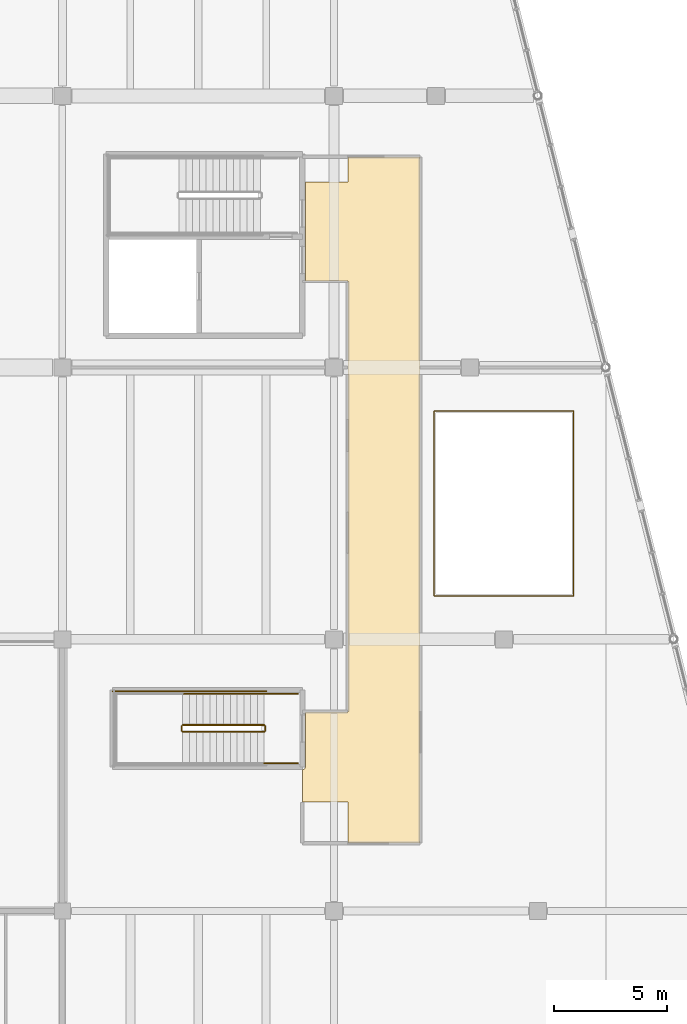
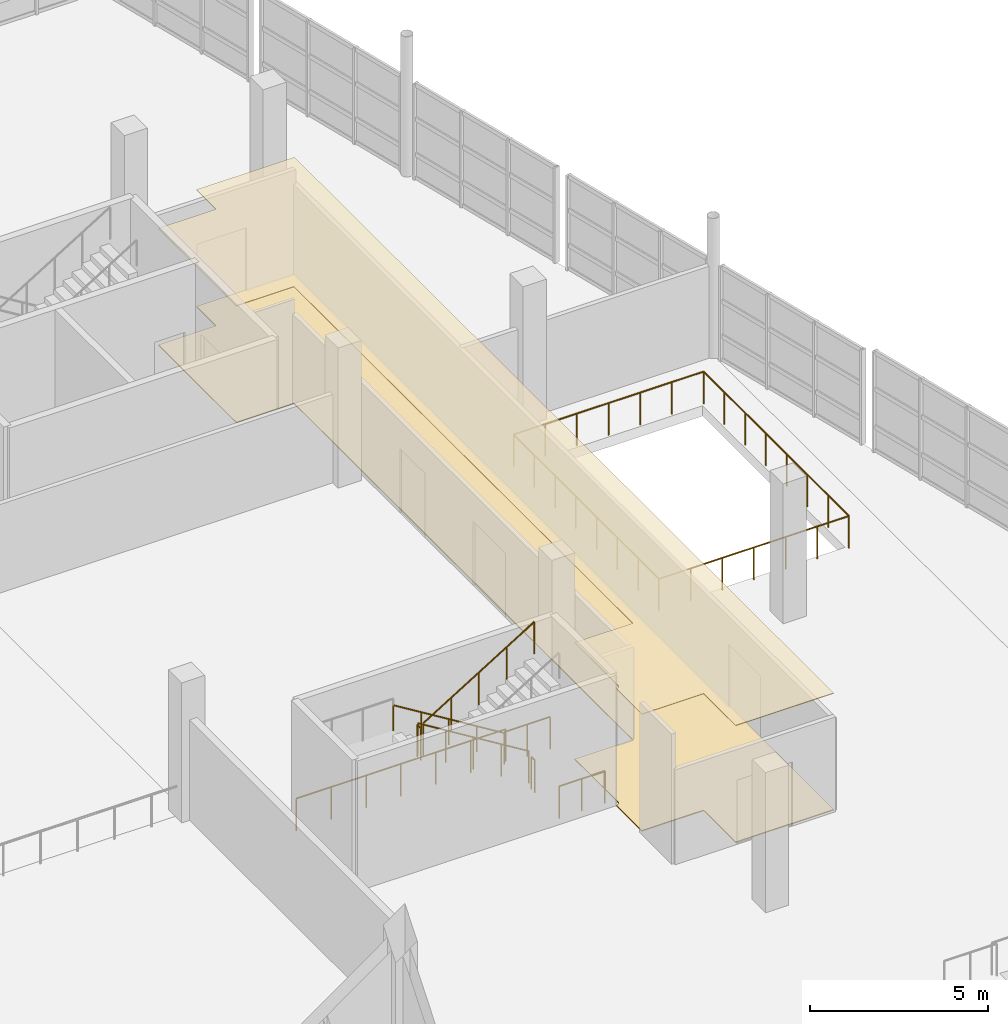
# One storey, part 105 of 112: 9 railings, 2 coverings.
"""IFC4 building model written with IfcOpenShell, lengths in metres."""

from ifc_helpers import new_model, si_unit, direction, frame, origin, origin_2d, place, context, subcontext, project, spatial, polyline, circle, outline, extrude, material, layer, layer_set, type_object, element, save


model = new_model("IFC4")

# Units and contexts
model_context = context("Model", 3, precision=1e-05, world=origin(), true_north=direction((0.0, 1.0)))
body_context = subcontext(model_context, "Body", "Model", "MODEL_VIEW")
ifc_project = project(units=[si_unit("LENGTHUNIT", "METRE"), si_unit("AREAUNIT", "SQUARE_METRE"), si_unit("VOLUMEUNIT", "CUBIC_METRE"), si_unit("PLANEANGLEUNIT", "RADIAN"), si_unit("MASSUNIT", "GRAM", prefix="KILO")], contexts=[model_context])

# Site, building, storey
site_placement = place(None, origin())
site = spatial("IfcSite", under=ifc_project, at=site_placement, CompositionType="ELEMENT")
building_placement = place(site_placement, origin())
building = spatial("IfcBuilding", under=site, at=building_placement, Name="Kamomehara Wholesale Market", CompositionType="ELEMENT")
storey_placement = place(building_placement, frame((0.0, 0.0, 6.60009765625)))
storey = spatial("IfcBuildingStorey", under=building, at=storey_placement, Name="L01", CompositionType="ELEMENT", Elevation=6.60009765625)

# Coverings
ifc_material_1 = material(Name="Acoustic mineral ceiling tile")
ifc_layer_1 = layer(ifc_material_1, 0.02490234375)
ifc_layer_set_1 = layer_set([ifc_layer_1], Name="Acoustic mineral ceiling tile")
covering_type_1 = type_object("IfcCoveringType", Name="COV-CEIL-01", PredefinedType="CEILING", material=ifc_layer_set_1)
covering_1_placement = place(storey_placement, frame((0.0, 0.0, 4.0)))
element("IfcCovering", 1, at=covering_1_placement, inside=storey, type_object=covering_type_1, Name="Acoustic ceiling L01-24", PredefinedType="CEILING", context=body_context, shape_type="SweptSolid", body=[
    extrude(outline(polyline([(180.60693359375, 75.806884765625), (180.60595703125, 75.80810546875), (180.60595703125, 75.80810546875), (180.60498046875, 75.80908203125), (180.60400390625, 75.80908203125), (180.60302734375, 75.81005859375), (180.60205078125, 75.81005859375), (180.60107421875, 75.81005859375), (180.60009765625, 75.81005859375), (178.739990234375, 75.81005859375), (178.739990234375, 80.18994140625), (180.60009765625, 80.18994140625), (180.60107421875, 80.18994140625), (180.60205078125, 80.18994140625), (180.60302734375, 80.18994140625), (180.60400390625, 80.19091796875), (180.60498046875, 80.19091796875), (180.60595703125, 80.19189453125), (180.60595703125, 80.19189453125), (180.60693359375, 80.193115234375), (180.60791015625, 80.194091796875), (180.60791015625, 80.194091796875), (180.60888671875, 80.195068359375), (180.60888671875, 80.196044921875), (180.610107421875, 80.197021484375), (180.610107421875, 80.197998046875), (180.610107421875, 80.198974609375), (180.610107421875, 80.199951171875), (180.610107421875, 81.2900390625), (183.7900390625, 81.2900390625), (183.7900390625, 51.010009765625), (180.610107421875, 51.010009765625), (180.610107421875, 52.800048828125), (180.610107421875, 52.801025390625), (180.610107421875, 52.802001953125), (180.610107421875, 52.802978515625), (180.60888671875, 52.803955078125), (180.60888671875, 52.804931640625), (180.60791015625, 52.805908203125), (180.60791015625, 52.805908203125), (180.60693359375, 52.806884765625), (180.60595703125, 52.80810546875), (180.60595703125, 52.80810546875), (180.60498046875, 52.80908203125), (180.60400390625, 52.80908203125), (180.60302734375, 52.81005859375), (180.60205078125, 52.81005859375), (180.60107421875, 52.81005859375), (180.60009765625, 52.81005859375), (178.610107421875, 52.81005859375), (178.610107421875, 54.240966796875), (178.613037109375, 54.240966796875), (178.613037109375, 54.240966796875), (178.6240234375, 54.241943359375), (178.625, 54.241943359375), (178.625, 54.241943359375), (178.636962890625, 54.2451171875), (178.637939453125, 54.24609375), (178.64892578125, 54.25), (178.64990234375, 54.25), (178.660888671875, 54.2548828125), (178.662109375, 54.2548828125), (178.672119140625, 54.260986328125), (178.673095703125, 54.261962890625), (178.681884765625, 54.26904296875), (178.68310546875, 54.27001953125), (178.69189453125, 54.278076171875), (178.69189453125, 54.278076171875), (178.699951171875, 54.287109375), (178.700927734375, 54.2880859375), (178.7080078125, 54.297119140625), (178.708984375, 54.298095703125), (178.715087890625, 54.30810546875), (178.715087890625, 54.30908203125), (178.719970703125, 54.320068359375), (178.719970703125, 54.321044921875), (178.72412109375, 54.33203125), (178.72509765625, 54.3330078125), (178.72802734375, 54.344970703125), (178.72802734375, 54.344970703125), (178.72802734375, 54.345947265625), (178.72900390625, 54.35693359375), (178.72900390625, 54.35693359375), (178.72998046875, 54.368896484375), (178.72998046875, 54.3701171875), (178.72998046875, 56.7900390625), (180.60009765625, 56.7900390625), (180.60107421875, 56.7900390625), (180.60205078125, 56.7900390625), (180.60302734375, 56.7900390625), (180.60400390625, 56.791015625), (180.60498046875, 56.791015625), (180.60595703125, 56.7919921875), (180.60595703125, 56.7919921875), (180.60693359375, 56.79296875), (180.60791015625, 56.7939453125), (180.60791015625, 56.7939453125), (180.60888671875, 56.794921875), (180.60888671875, 56.7958984375), (180.610107421875, 56.797119140625), (180.610107421875, 56.798095703125), (180.610107421875, 56.799072265625), (180.610107421875, 56.800048828125), (180.610107421875, 75.800048828125), (180.610107421875, 75.801025390625), (180.610107421875, 75.802001953125), (180.610107421875, 75.802978515625), (180.60888671875, 75.803955078125), (180.60888671875, 75.804931640625), (180.60791015625, 75.805908203125), (180.60791015625, 75.805908203125), (180.60693359375, 75.806884765625)])), origin(), (0.0, 0.0, 1.0), 0.02490234375),
])
ifc_material_2 = material(Name="Heavy-duty resin market flooring")
ifc_layer_2 = layer(ifc_material_2, 0.030029296875)
ifc_layer_set_2 = layer_set([ifc_layer_2], Name="Heavy-duty resin market flooring")
covering_type_2 = type_object("IfcCoveringType", Name="COV-FLR-01", PredefinedType="FLOORING", material=ifc_layer_set_2)
covering_2_placement = place(storey_placement, origin())
element("IfcCovering", 2, at=covering_2_placement, inside=storey, type_object=covering_type_2, Name="Resin flooring L01-24", PredefinedType="FLOORING", context=body_context, shape_type="SweptSolid", body=[
    extrude(outline(polyline([(180.60693359375, 75.806884765625), (180.60595703125, 75.80810546875), (180.60595703125, 75.80810546875), (180.60498046875, 75.80908203125), (180.60400390625, 75.80908203125), (180.60302734375, 75.81005859375), (180.60205078125, 75.81005859375), (180.60107421875, 75.81005859375), (180.60009765625, 75.81005859375), (178.739990234375, 75.81005859375), (178.739990234375, 80.18994140625), (180.60009765625, 80.18994140625), (180.60107421875, 80.18994140625), (180.60205078125, 80.18994140625), (180.60302734375, 80.18994140625), (180.60400390625, 80.19091796875), (180.60498046875, 80.19091796875), (180.60595703125, 80.19189453125), (180.60595703125, 80.19189453125), (180.60693359375, 80.193115234375), (180.60791015625, 80.194091796875), (180.60791015625, 80.194091796875), (180.60888671875, 80.195068359375), (180.60888671875, 80.196044921875), (180.610107421875, 80.197021484375), (180.610107421875, 80.197998046875), (180.610107421875, 80.198974609375), (180.610107421875, 80.199951171875), (180.610107421875, 81.2900390625), (183.7900390625, 81.2900390625), (183.7900390625, 51.010009765625), (180.610107421875, 51.010009765625), (180.610107421875, 52.800048828125), (180.610107421875, 52.801025390625), (180.610107421875, 52.802001953125), (180.610107421875, 52.802978515625), (180.60888671875, 52.803955078125), (180.60888671875, 52.804931640625), (180.60791015625, 52.805908203125), (180.60791015625, 52.805908203125), (180.60693359375, 52.806884765625), (180.60595703125, 52.80810546875), (180.60595703125, 52.80810546875), (180.60498046875, 52.80908203125), (180.60400390625, 52.80908203125), (180.60302734375, 52.81005859375), (180.60205078125, 52.81005859375), (180.60107421875, 52.81005859375), (180.60009765625, 52.81005859375), (178.610107421875, 52.81005859375), (178.610107421875, 54.240966796875), (178.613037109375, 54.240966796875), (178.613037109375, 54.240966796875), (178.6240234375, 54.241943359375), (178.625, 54.241943359375), (178.625, 54.241943359375), (178.636962890625, 54.2451171875), (178.637939453125, 54.24609375), (178.64892578125, 54.25), (178.64990234375, 54.25), (178.660888671875, 54.2548828125), (178.662109375, 54.2548828125), (178.672119140625, 54.260986328125), (178.673095703125, 54.261962890625), (178.681884765625, 54.26904296875), (178.68310546875, 54.27001953125), (178.69189453125, 54.278076171875), (178.69189453125, 54.278076171875), (178.699951171875, 54.287109375), (178.700927734375, 54.2880859375), (178.7080078125, 54.297119140625), (178.708984375, 54.298095703125), (178.715087890625, 54.30810546875), (178.715087890625, 54.30908203125), (178.719970703125, 54.320068359375), (178.719970703125, 54.321044921875), (178.72412109375, 54.33203125), (178.72509765625, 54.3330078125), (178.72802734375, 54.344970703125), (178.72802734375, 54.344970703125), (178.72802734375, 54.345947265625), (178.72900390625, 54.35693359375), (178.72900390625, 54.35693359375), (178.72998046875, 54.368896484375), (178.72998046875, 54.3701171875), (178.72998046875, 56.7900390625), (180.60009765625, 56.7900390625), (180.60107421875, 56.7900390625), (180.60205078125, 56.7900390625), (180.60302734375, 56.7900390625), (180.60400390625, 56.791015625), (180.60498046875, 56.791015625), (180.60595703125, 56.7919921875), (180.60595703125, 56.7919921875), (180.60693359375, 56.79296875), (180.60791015625, 56.7939453125), (180.60791015625, 56.7939453125), (180.60888671875, 56.794921875), (180.60888671875, 56.7958984375), (180.610107421875, 56.797119140625), (180.610107421875, 56.798095703125), (180.610107421875, 56.799072265625), (180.610107421875, 56.800048828125), (180.610107421875, 75.800048828125), (180.610107421875, 75.801025390625), (180.610107421875, 75.802001953125), (180.610107421875, 75.802978515625), (180.60888671875, 75.803955078125), (180.60888671875, 75.804931640625), (180.60791015625, 75.805908203125), (180.60791015625, 75.805908203125), (180.60693359375, 75.806884765625)])), origin(), (0.0, 0.0, 1.0), 0.02978515625),
])

# Railings
ifc_material_3 = material(Name="Steel SN400B", Category="steel")
railing_type_1 = type_object("IfcRailingType", Name="RAL-HND-900", PredefinedType="HANDRAIL", material=ifc_material_3)
railing_1_placement = place(storey_placement, frame((176.9150390625, 57.60009765625, 0.1845703125)))
element("IfcRailing", 3, at=railing_1_placement, inside=storey, type_object=railing_type_1, Name="L01 ST-10 stair handrail 1", PredefinedType="HANDRAIL", context=body_context, shape_type="SweptSolid", body=[
    extrude(circle(Radius=0.02392578125, at=origin_2d()), frame((0.0, 0.0, 0.8759765625), z_axis=(-0.85167021472, 0.0, 0.524078090897), x_axis=(0.0, -1.0, 0.0)), (0.0, 0.0, 1.0), 4.22705078125),
    extrude(circle(Radius=0.02099609375, at=origin_2d()), origin(), (0.0, 0.0, 1.0), 0.851806640625),
    extrude(circle(Radius=0.02099609375, at=origin_2d()), frame((-0.89990234375, 0.0, 0.5537109375)), (0.0, 0.0, 1.0), 0.851806640625),
    extrude(circle(Radius=0.02099609375, at=origin_2d()), frame((-1.800048828125, 0.0, 1.107666015625)), (0.0, 0.0, 1.0), 0.851806640625),
    extrude(circle(Radius=0.02099609375, at=origin_2d()), frame((-2.7001953125, 0.0, 1.66162109375)), (0.0, 0.0, 1.0), 0.851806640625),
    extrude(circle(Radius=0.02099609375, at=origin_2d()), frame((-3.60009765625, 0.0, 2.21533203125)), (0.0, 0.0, 1.0), 0.851806640625),
])
ifc_material_4 = material(Name="Steel SN400B", Category="steel")
railing_type_2 = type_object("IfcRailingType", Name="RAL-INT-1100", PredefinedType="BALUSTRADE", material=ifc_material_4)
railing_2_placement = place(storey_placement, frame((176.9150390625, 56.215087890625, 0.1845703125)))
element("IfcRailing", 4, at=railing_2_placement, inside=storey, type_object=railing_type_2, Name="L01 ST-10 stair guard 1", PredefinedType="BALUSTRADE", context=body_context, shape_type="SweptSolid", body=[
    extrude(circle(Radius=0.02392578125, at=origin_2d()), frame((0.0, 0.0, 1.09619140625), z_axis=(-0.85167021472, 0.0, 0.524078090897), x_axis=(0.0, -1.0, 0.0)), (0.0, 0.0, 1.0), 4.22705078125),
    extrude(circle(Radius=0.02099609375, at=origin_2d()), origin(), (0.0, 0.0, 1.0), 1.072021484375),
    extrude(circle(Radius=0.02099609375, at=origin_2d()), frame((-0.89990234375, 0.0, 0.5537109375)), (0.0, 0.0, 1.0), 1.072021484375),
    extrude(circle(Radius=0.02099609375, at=origin_2d()), frame((-1.800048828125, 0.0, 1.107666015625)), (0.0, 0.0, 1.0), 1.072021484375),
    extrude(circle(Radius=0.02099609375, at=origin_2d()), frame((-2.7001953125, 0.0, 1.66162109375)), (0.0, 0.0, 1.0), 1.072021484375),
    extrude(circle(Radius=0.02099609375, at=origin_2d()), frame((-3.60009765625, 0.0, 2.21533203125)), (0.0, 0.0, 1.0), 1.072021484375),
])
railing_3_placement = place(storey_placement, frame((173.264892578125, 56.1650390625, 2.39990234375)))
element("IfcRailing", 5, at=railing_3_placement, inside=storey, type_object=railing_type_2, Name="L01 ST-10 stair guard 2", PredefinedType="BALUSTRADE", context=body_context, shape_type="SweptSolid", body=[
    extrude(circle(Radius=0.02392578125, at=origin_2d()), frame((0.0, 0.0, 1.09619140625), z_axis=(0.0, -1.0, 0.0), x_axis=(1.0, 0.0, 0.0)), (0.0, 0.0, 1.0), 0.199951171875),
    extrude(circle(Radius=0.02099609375, at=origin_2d()), origin(), (0.0, 0.0, 1.0), 1.072021484375),
    extrude(circle(Radius=0.02099609375, at=origin_2d()), frame((0.0, -0.199951171875, 0.0)), (0.0, 0.0, 1.0), 1.072021484375),
])
railing_4_placement = place(storey_placement, frame((173.31494140625, 55.9150390625, 2.58447265625)))
element("IfcRailing", 6, at=railing_4_placement, inside=storey, type_object=railing_type_2, Name="L01 ST-10 stair guard 6", PredefinedType="BALUSTRADE", context=body_context, shape_type="SweptSolid", body=[
    extrude(circle(Radius=0.02392578125, at=origin_2d()), frame((0.0, 0.0, 1.09619140625), z_axis=(0.85167021472, 0.0, 0.524078090897), x_axis=(0.0, 1.0, 0.0)), (0.0, 0.0, 1.0), 4.22705078125),
    extrude(circle(Radius=0.02099609375, at=origin_2d()), origin(), (0.0, 0.0, 1.0), 1.072021484375),
    extrude(circle(Radius=0.02099609375, at=origin_2d()), frame((0.89990234375, 0.0, 0.5537109375)), (0.0, 0.0, 1.0), 1.072021484375),
    extrude(circle(Radius=0.02099609375, at=origin_2d()), frame((1.800048828125, 0.0, 1.107666015625)), (0.0, 0.0, 1.0), 1.072021484375),
    extrude(circle(Radius=0.02099609375, at=origin_2d()), frame((2.7001953125, 0.0, 1.66162109375)), (0.0, 0.0, 1.0), 1.072021484375),
    extrude(circle(Radius=0.02099609375, at=origin_2d()), frame((3.60009765625, 0.0, 2.21533203125)), (0.0, 0.0, 1.0), 1.072021484375),
])
railing_5_placement = place(storey_placement, frame((176.965087890625, 56.1650390625, 0.0)))
element("IfcRailing", 7, at=railing_5_placement, inside=storey, type_object=railing_type_2, Name="L01 ST-10 stair guard 7", PredefinedType="BALUSTRADE", context=body_context, shape_type="SweptSolid", body=[
    extrude(circle(Radius=0.02392578125, at=origin_2d()), frame((0.0, 0.0, 1.09619140625), z_axis=(0.0, -1.0, 0.0), x_axis=(1.0, 0.0, 0.0)), (0.0, 0.0, 1.0), 0.199951171875),
    extrude(circle(Radius=0.02099609375, at=origin_2d()), origin(), (0.0, 0.0, 1.0), 1.072021484375),
    extrude(circle(Radius=0.02099609375, at=origin_2d()), frame((0.0, -0.199951171875, 0.0)), (0.0, 0.0, 1.0), 1.072021484375),
])
for number, where, name in (
    (8, (178.39990234375, 57.60009765625, 0.0), "L01 ST-10 stair guard 8"),
    (9, (178.39990234375, 54.530029296875, 0.0), "L01 ST-10 stair guard 9"),
):
    element("IfcRailing", number, at=place(storey_placement, frame(where)), inside=storey, type_object=railing_type_2, Name=name, PredefinedType="BALUSTRADE", context=body_context, shape_type="SweptSolid", body=[
        extrude(circle(Radius=0.02392578125, at=origin_2d()), frame((0.0, 0.0, 1.09619140625), z_axis=(-1.0, 0.0, 0.0), x_axis=(0.0, -1.0, 0.0)), (0.0, 0.0, 1.0), 1.48486328125),
        extrude(circle(Radius=0.02099609375, at=origin_2d()), origin(), (0.0, 0.0, 1.0), 1.072021484375),
        extrude(circle(Radius=0.02099609375, at=origin_2d()), frame((-0.742431640625, 0.0, 0.0)), (0.0, 0.0, 1.0), 1.072021484375),
        extrude(circle(Radius=0.02099609375, at=origin_2d()), frame((-1.48486328125, 0.0, 0.0)), (0.0, 0.0, 1.0), 1.072021484375),
    ])
railing_6_placement = place(storey_placement, frame((177.014892578125, 57.699951171875, 0.0)))
element("IfcRailing", 10, at=railing_6_placement, inside=storey, type_object=railing_type_2, Name="L01 ST-10 stair guard 10", PredefinedType="BALUSTRADE", context=body_context, shape_type="SweptSolid", body=[
    extrude(circle(Radius=0.02392578125, at=origin_2d()), frame((0.0, 0.0, 1.09619140625), z_axis=(-1.0, 0.0, 0.0), x_axis=(0.0, -1.0, 0.0)), (0.0, 0.0, 1.0), 6.784912109375),
    extrude(circle(Radius=0.02099609375, at=origin_2d()), origin(), (0.0, 0.0, 1.0), 1.072021484375),
    extrude(circle(Radius=0.02099609375, at=origin_2d()), frame((-1.130859375, 0.0, 0.0)), (0.0, 0.0, 1.0), 1.072021484375),
    extrude(circle(Radius=0.02099609375, at=origin_2d()), frame((-2.26171875, 0.0, 0.0)), (0.0, 0.0, 1.0), 1.072021484375),
    extrude(circle(Radius=0.02099609375, at=origin_2d()), frame((-3.392578125, 0.0, 0.0)), (0.0, 0.0, 1.0), 1.072021484375),
    extrude(circle(Radius=0.02099609375, at=origin_2d()), frame((-4.523193359375, 0.0, 0.0)), (0.0, 0.0, 1.0), 1.072021484375),
    extrude(circle(Radius=0.02099609375, at=origin_2d()), frame((-5.654052734375, 0.0, 0.0)), (0.0, 0.0, 1.0), 1.072021484375),
    extrude(circle(Radius=0.02099609375, at=origin_2d()), frame((-6.784912109375, 0.0, 0.0)), (0.0, 0.0, 1.0), 1.072021484375),
])
railing_7_placement = place(storey_placement, frame((190.580078125, 61.919921875, 0.0)))
element("IfcRailing", 11, at=railing_7_placement, inside=storey, type_object=railing_type_2, Name="Atrium void guard L01 6", PredefinedType="BALUSTRADE", context=body_context, shape_type="SweptSolid", body=[
    extrude(circle(Radius=0.02392578125, at=origin_2d()), frame((0.0, 0.0, 1.09619140625), z_axis=(-1.0, 0.0, 0.0), x_axis=(0.0, -1.0, 0.0)), (0.0, 0.0, 1.0), 6.16015625),
    extrude(circle(Radius=0.02392578125, at=origin_2d()), frame((-6.16015625, 0.0, 1.09619140625), z_axis=(0.0, 1.0, 0.0), x_axis=(-1.0, 0.0, 0.0)), (0.0, 0.0, 1.0), 8.16015625),
    extrude(circle(Radius=0.02392578125, at=origin_2d()), frame((-6.16015625, 8.16015625, 1.09619140625), z_axis=(1.0, 0.0, 0.0), x_axis=(0.0, 1.0, 0.0)), (0.0, 0.0, 1.0), 6.16015625),
    extrude(circle(Radius=0.02392578125, at=origin_2d()), frame((0.0, 8.16015625, 1.09619140625), z_axis=(0.0, -1.0, 0.0), x_axis=(1.0, 0.0, 0.0)), (0.0, 0.0, 1.0), 8.16015625),
    extrude(circle(Radius=0.02099609375, at=origin_2d()), origin(), (0.0, 0.0, 1.0), 1.072021484375),
    extrude(circle(Radius=0.02099609375, at=origin_2d()), frame((-1.026611328125, 0.0, 0.0)), (0.0, 0.0, 1.0), 1.072021484375),
    extrude(circle(Radius=0.02099609375, at=origin_2d()), frame((-2.053466796875, 0.0, 0.0)), (0.0, 0.0, 1.0), 1.072021484375),
    extrude(circle(Radius=0.02099609375, at=origin_2d()), frame((-3.080078125, 0.0, 0.0)), (0.0, 0.0, 1.0), 1.072021484375),
    extrude(circle(Radius=0.02099609375, at=origin_2d()), frame((-4.106689453125, 0.0, 0.0)), (0.0, 0.0, 1.0), 1.072021484375),
    extrude(circle(Radius=0.02099609375, at=origin_2d()), frame((-5.133544921875, 0.0, 0.0)), (0.0, 0.0, 1.0), 1.072021484375),
    extrude(circle(Radius=0.02099609375, at=origin_2d()), frame((-6.16015625, 0.0, 0.0)), (0.0, 0.0, 1.0), 1.072021484375),
    extrude(circle(Radius=0.02099609375, at=origin_2d()), frame((-6.16015625, 1.165771484375, 0.0)), (0.0, 0.0, 1.0), 1.072021484375),
    extrude(circle(Radius=0.02099609375, at=origin_2d()), frame((-6.16015625, 2.33154296875, 0.0)), (0.0, 0.0, 1.0), 1.072021484375),
    extrude(circle(Radius=0.02099609375, at=origin_2d()), frame((-6.16015625, 3.497314453125, 0.0)), (0.0, 0.0, 1.0), 1.072021484375),
    extrude(circle(Radius=0.02099609375, at=origin_2d()), frame((-6.16015625, 4.662841796875, 0.0)), (0.0, 0.0, 1.0), 1.072021484375),
    extrude(circle(Radius=0.02099609375, at=origin_2d()), frame((-6.16015625, 5.82861328125, 0.0)), (0.0, 0.0, 1.0), 1.072021484375),
    extrude(circle(Radius=0.02099609375, at=origin_2d()), frame((-6.16015625, 6.994384765625, 0.0)), (0.0, 0.0, 1.0), 1.072021484375),
    extrude(circle(Radius=0.02099609375, at=origin_2d()), frame((-6.16015625, 8.16015625, 0.0)), (0.0, 0.0, 1.0), 1.072021484375),
    extrude(circle(Radius=0.02099609375, at=origin_2d()), frame((-5.133544921875, 8.16015625, 0.0)), (0.0, 0.0, 1.0), 1.072021484375),
    extrude(circle(Radius=0.02099609375, at=origin_2d()), frame((-4.106689453125, 8.16015625, 0.0)), (0.0, 0.0, 1.0), 1.072021484375),
    extrude(circle(Radius=0.02099609375, at=origin_2d()), frame((-3.080078125, 8.16015625, 0.0)), (0.0, 0.0, 1.0), 1.072021484375),
    extrude(circle(Radius=0.02099609375, at=origin_2d()), frame((-2.053466796875, 8.16015625, 0.0)), (0.0, 0.0, 1.0), 1.072021484375),
    extrude(circle(Radius=0.02099609375, at=origin_2d()), frame((-1.026611328125, 8.16015625, 0.0)), (0.0, 0.0, 1.0), 1.072021484375),
    extrude(circle(Radius=0.02099609375, at=origin_2d()), frame((0.0, 8.16015625, 0.0)), (0.0, 0.0, 1.0), 1.072021484375),
    extrude(circle(Radius=0.02099609375, at=origin_2d()), frame((0.0, 6.994384765625, 0.0)), (0.0, 0.0, 1.0), 1.072021484375),
    extrude(circle(Radius=0.02099609375, at=origin_2d()), frame((0.0, 5.82861328125, 0.0)), (0.0, 0.0, 1.0), 1.072021484375),
    extrude(circle(Radius=0.02099609375, at=origin_2d()), frame((0.0, 4.662841796875, 0.0)), (0.0, 0.0, 1.0), 1.072021484375),
    extrude(circle(Radius=0.02099609375, at=origin_2d()), frame((0.0, 3.497314453125, 0.0)), (0.0, 0.0, 1.0), 1.072021484375),
    extrude(circle(Radius=0.02099609375, at=origin_2d()), frame((0.0, 2.33154296875, 0.0)), (0.0, 0.0, 1.0), 1.072021484375),
    extrude(circle(Radius=0.02099609375, at=origin_2d()), frame((0.0, 1.165771484375, 0.0)), (0.0, 0.0, 1.0), 1.072021484375),
])

save(model, "model.ifc")
